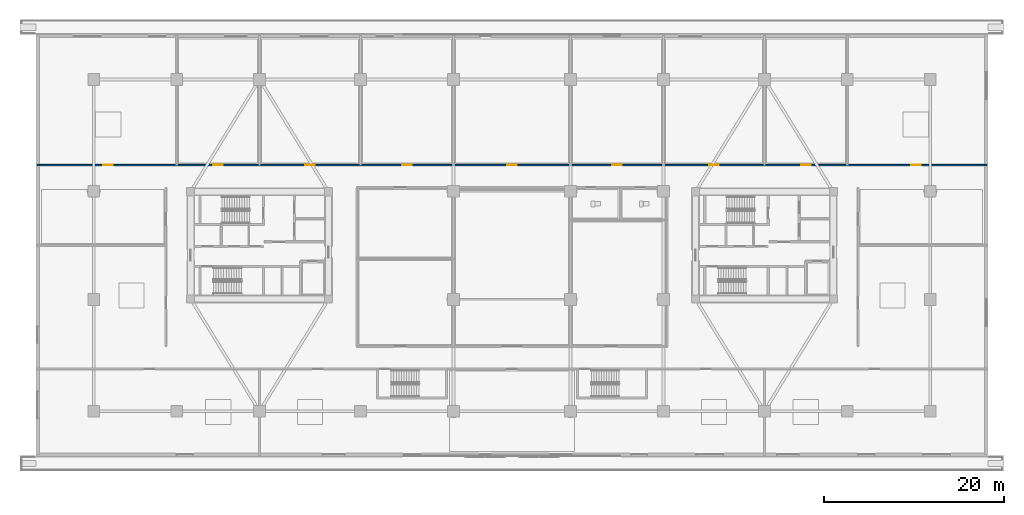
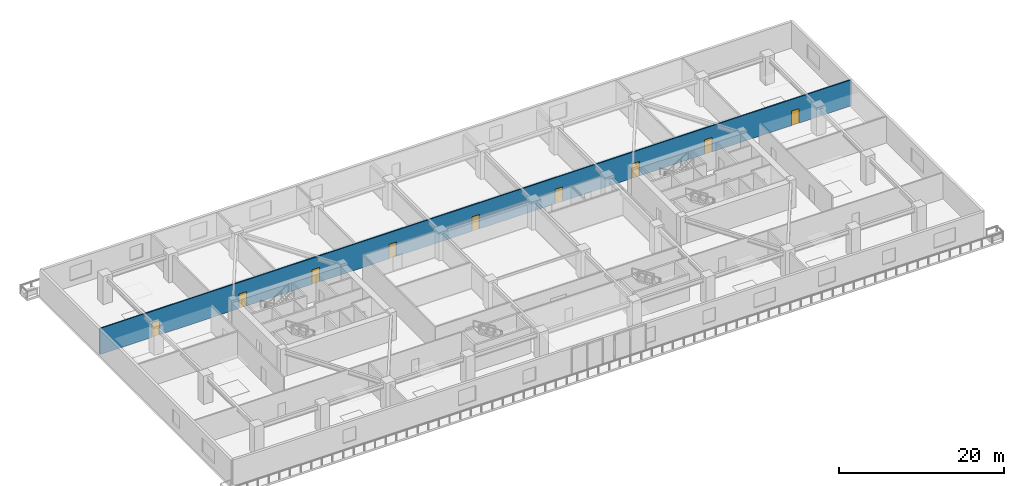
# One storey, part 8 of 22: 9 doors, 1 wall, 9 openings.
"""IFC4 building model written with IfcOpenShell, lengths in metres."""

from ifc_helpers import new_model, si_unit, direction, frame, frame_2d, origin, place, context, subcontext, project, spatial, rectangle, extrude, source, transform, mapped, material, layer, layer_set, type_object, type_shapes, element, fill, save


model = new_model("IFC4")

# Units and contexts
model_context = context("Model", 3, precision=1e-05, world=origin(), true_north=direction((0.0, 1.0)))
body_context = subcontext(model_context, "Body", "Model", "MODEL_VIEW")
ifc_project = project(units=[si_unit("LENGTHUNIT", "METRE"), si_unit("AREAUNIT", "SQUARE_METRE"), si_unit("VOLUMEUNIT", "CUBIC_METRE"), si_unit("PLANEANGLEUNIT", "RADIAN"), si_unit("MASSUNIT", "GRAM", prefix="KILO")], contexts=[model_context])

# Site, building, storey
site_placement = place(None, origin())
site = spatial("IfcSite", under=ifc_project, at=site_placement, CompositionType="ELEMENT")
building_placement = place(site_placement, origin())
building = spatial("IfcBuilding", under=site, at=building_placement, Name="Norrkilde Senior Care Towers", CompositionType="ELEMENT")
storey_placement = place(building_placement, frame((0.0, 0.0, 4.199951171875)))
storey = spatial("IfcBuildingStorey", under=building, at=storey_placement, Name="L01", CompositionType="ELEMENT", Elevation=4.199951171875)

# Wall, openings, doors
ifc_material_1 = material(Name="Gypsum Acoustic Board")
ifc_layer = layer(ifc_material_1, 0.1650390625)
ifc_layer_set = layer_set([ifc_layer], Name="Gypsum Acoustic Board")
wall_type = type_object("IfcWallType", Name="Corridor Rated Partition 165", PredefinedType="PARTITIONING", material=ifc_layer_set)
shared_shape_1 = source(origin(), body_context, "Body", "SweptSolid", [
    extrude(rectangle(XDim=105.2998046875, YDim=0.1650390625, at=frame_2d((52.64990234375, 0.0))), origin(), (0.0, 0.0, 1.0), 3.864990234375),
])
type_shapes(wall_type, [shared_shape_1])
wall_placement = place(storey_placement, frame((-52.64990234375, 8.89990234375, 0.0), z_axis=(0.0, 0.0, 1.0), x_axis=(1.0, 0.0, 0.0)))
wall = element("IfcWall", 1, at=wall_placement, inside=storey, type_object=wall_type, Name="WL-INT-L01-POD-NPS", PredefinedType="PARTITIONING", context=body_context, shape_type="MappedRepresentation", body=[
    mapped(shared_shape_1, transform((0.0, 0.0, 0.0), x_axis=(1.0, 0.0, 0.0), y_axis=(0.0, 1.0, 0.0), z_axis=(0.0, 0.0, 1.0), scale=1.0)),
])
opening_1_placement = place(wall_placement, frame((7.324951171875, 0.0, 0.0)))
opening_1 = element("IfcOpeningElement", 2, at=opening_1_placement, cuts=wall, Name="Opening D-06", PredefinedType="OPENING", context=body_context, shape_type="SweptSolid", body=[
    extrude(rectangle(XDim=1.050048828125, YDim=2.14990234375, at=frame_2d((0.52490234375, 1.074951171875))), frame((0.0, 0.092529296875, 0.0), z_axis=(0.0, -1.0, 0.0), x_axis=(1.0, 0.0, 0.0)), (0.0, 0.0, 1.0), 0.18505859375),
])
opening_2_placement = place(wall_placement, frame((19.52490234375, 0.0, 0.0)))
opening_2 = element("IfcOpeningElement", 3, at=opening_2_placement, cuts=wall, Name="Opening D-06", PredefinedType="OPENING", context=body_context, shape_type="SweptSolid", body=[
    extrude(rectangle(XDim=1.050048828125, YDim=2.14990234375, at=frame_2d((0.52490234375, 1.074951171875))), frame((0.0, 0.092529296875, 0.0), z_axis=(0.0, -1.0, 0.0), x_axis=(1.0, 0.0, 0.0)), (0.0, 0.0, 1.0), 0.18505859375),
])
opening_3_placement = place(wall_placement, frame((29.72509765625, 0.0, 0.0)))
opening_3 = element("IfcOpeningElement", 4, at=opening_3_placement, cuts=wall, Name="Opening D-06", PredefinedType="OPENING", context=body_context, shape_type="SweptSolid", body=[
    extrude(rectangle(XDim=1.050048828125, YDim=2.14990234375, at=frame_2d((0.52490234375, 1.074951171875))), frame((0.0, 0.092529296875, 0.0), z_axis=(0.0, -1.0, 0.0), x_axis=(1.0, 0.0, 0.0)), (0.0, 0.0, 1.0), 0.18505859375),
])
opening_4_placement = place(wall_placement, frame((40.47509765625, 0.0, 0.0)))
opening_4 = element("IfcOpeningElement", 5, at=opening_4_placement, cuts=wall, Name="Opening D-06", PredefinedType="OPENING", context=body_context, shape_type="SweptSolid", body=[
    extrude(rectangle(XDim=1.050048828125, YDim=2.14990234375, at=frame_2d((0.52490234375, 1.074951171875))), frame((0.0, 0.092529296875, 0.0), z_axis=(0.0, -1.0, 0.0), x_axis=(1.0, 0.0, 0.0)), (0.0, 0.0, 1.0), 0.18505859375),
])
opening_5_placement = place(wall_placement, frame((52.125, 0.0, 0.0)))
opening_5 = element("IfcOpeningElement", 6, at=opening_5_placement, cuts=wall, Name="Opening D-06", PredefinedType="OPENING", context=body_context, shape_type="SweptSolid", body=[
    extrude(rectangle(XDim=1.050048828125, YDim=2.14990234375, at=frame_2d((0.52490234375, 1.074951171875))), frame((0.0, 0.092529296875, 0.0), z_axis=(0.0, -1.0, 0.0), x_axis=(1.0, 0.0, 0.0)), (0.0, 0.0, 1.0), 0.18505859375),
])
opening_6_placement = place(wall_placement, frame((63.77490234375, 0.0, 0.0)))
opening_6 = element("IfcOpeningElement", 7, at=opening_6_placement, cuts=wall, Name="Opening D-06", PredefinedType="OPENING", context=body_context, shape_type="SweptSolid", body=[
    extrude(rectangle(XDim=1.050048828125, YDim=2.14990234375, at=frame_2d((0.52490234375, 1.074951171875))), frame((0.0, 0.092529296875, 0.0), z_axis=(0.0, -1.0, 0.0), x_axis=(1.0, 0.0, 0.0)), (0.0, 0.0, 1.0), 0.18505859375),
])
opening_7_placement = place(wall_placement, frame((74.52490234375, 0.0, 0.0)))
opening_7 = element("IfcOpeningElement", 8, at=opening_7_placement, cuts=wall, Name="Opening D-06", PredefinedType="OPENING", context=body_context, shape_type="SweptSolid", body=[
    extrude(rectangle(XDim=1.050048828125, YDim=2.14990234375, at=frame_2d((0.52490234375, 1.074951171875))), frame((0.0, 0.092529296875, 0.0), z_axis=(0.0, -1.0, 0.0), x_axis=(1.0, 0.0, 0.0)), (0.0, 0.0, 1.0), 0.18505859375),
])
opening_8_placement = place(wall_placement, frame((84.72509765625, 0.0, 0.0)))
opening_8 = element("IfcOpeningElement", 9, at=opening_8_placement, cuts=wall, Name="Opening D-06", PredefinedType="OPENING", context=body_context, shape_type="SweptSolid", body=[
    extrude(rectangle(XDim=1.050048828125, YDim=2.14990234375, at=frame_2d((0.52490234375, 1.074951171875))), frame((0.0, 0.092529296875, 0.0), z_axis=(0.0, -1.0, 0.0), x_axis=(1.0, 0.0, 0.0)), (0.0, 0.0, 1.0), 0.18505859375),
])
opening_9_placement = place(wall_placement, frame((96.925048828125, 0.0, 0.0)))
opening_9 = element("IfcOpeningElement", 10, at=opening_9_placement, cuts=wall, Name="Opening D-06", PredefinedType="OPENING", context=body_context, shape_type="SweptSolid", body=[
    extrude(rectangle(XDim=1.050048828125, YDim=2.14990234375, at=frame_2d((0.52490234375, 1.074951171875))), frame((0.0, 0.092529296875, 0.0), z_axis=(0.0, -1.0, 0.0), x_axis=(1.0, 0.0, 0.0)), (0.0, 0.0, 1.0), 0.18505859375),
])
ifc_material_2 = material(Name="Nordic Ash Timber", Category="wood")
door_type = type_object("IfcDoorType", Name="Apartment Entrance Fire Door 1050x2150", OperationType="NOTDEFINED", PredefinedType="DOOR", material=ifc_material_2)
shared_shape_2 = source(origin(), body_context, "Body", "SweptSolid", [
    extrude(rectangle(XDim=1.050048828125, YDim=2.14990234375, at=frame_2d((0.52490234375, 1.074951171875))), frame((0.0, 0.02490234375, 0.0), z_axis=(0.0, -1.0, 0.0), x_axis=(1.0, 0.0, 0.0)), (0.0, 0.0, 1.0), 0.050048828125),
])
type_shapes(door_type, [shared_shape_2])
door_1_placement = place(opening_1_placement, origin())
door_1 = element("IfcDoor", 11, at=door_1_placement, inside=storey, type_object=door_type, Name="L01 North Suite 1 Door", OperationType="SINGLE_SWING_LEFT", OverallHeight=2.14990234375, OverallWidth=1.050048828125, PredefinedType="DOOR", context=body_context, shape_type="MappedRepresentation", body=[
    mapped(shared_shape_2, transform((0.0, 0.0, 0.0), x_axis=(1.0, 0.0, 0.0), y_axis=(0.0, 1.0, 0.0), z_axis=(0.0, 0.0, 1.0), scale=1.0)),
])
fill(opening_1, door_1)
door_2_placement = place(opening_2_placement, origin())
door_2 = element("IfcDoor", 12, at=door_2_placement, inside=storey, type_object=door_type, Name="L01 North Suite 2 Door", OperationType="SINGLE_SWING_RIGHT", OverallHeight=2.14990234375, OverallWidth=1.050048828125, PredefinedType="DOOR", context=body_context, shape_type="MappedRepresentation", body=[
    mapped(shared_shape_2, transform((0.0, 0.0, 0.0), x_axis=(1.0, 0.0, 0.0), y_axis=(0.0, 1.0, 0.0), z_axis=(0.0, 0.0, 1.0), scale=1.0)),
])
fill(opening_2, door_2)
door_3_placement = place(opening_3_placement, origin())
door_3 = element("IfcDoor", 13, at=door_3_placement, inside=storey, type_object=door_type, Name="L01 North Suite 3 Door", OperationType="SINGLE_SWING_LEFT", OverallHeight=2.14990234375, OverallWidth=1.050048828125, PredefinedType="DOOR", context=body_context, shape_type="MappedRepresentation", body=[
    mapped(shared_shape_2, transform((0.0, 0.0, 0.0), x_axis=(1.0, 0.0, 0.0), y_axis=(0.0, 1.0, 0.0), z_axis=(0.0, 0.0, 1.0), scale=1.0)),
])
fill(opening_3, door_3)
door_4_placement = place(opening_4_placement, origin())
door_4 = element("IfcDoor", 14, at=door_4_placement, inside=storey, type_object=door_type, Name="L01 North Suite 4 Door", OperationType="SINGLE_SWING_RIGHT", OverallHeight=2.14990234375, OverallWidth=1.050048828125, PredefinedType="DOOR", context=body_context, shape_type="MappedRepresentation", body=[
    mapped(shared_shape_2, transform((0.0, 0.0, 0.0), x_axis=(1.0, 0.0, 0.0), y_axis=(0.0, 1.0, 0.0), z_axis=(0.0, 0.0, 1.0), scale=1.0)),
])
fill(opening_4, door_4)
door_5_placement = place(opening_5_placement, origin())
door_5 = element("IfcDoor", 15, at=door_5_placement, inside=storey, type_object=door_type, Name="L01 North Suite 5 Door", OperationType="SINGLE_SWING_LEFT", OverallHeight=2.14990234375, OverallWidth=1.050048828125, PredefinedType="DOOR", context=body_context, shape_type="MappedRepresentation", body=[
    mapped(shared_shape_2, transform((0.0, 0.0, 0.0), x_axis=(1.0, 0.0, 0.0), y_axis=(0.0, 1.0, 0.0), z_axis=(0.0, 0.0, 1.0), scale=1.0)),
])
fill(opening_5, door_5)
door_6_placement = place(opening_6_placement, origin())
door_6 = element("IfcDoor", 16, at=door_6_placement, inside=storey, type_object=door_type, Name="L01 North Suite 6 Door", OperationType="SINGLE_SWING_RIGHT", OverallHeight=2.14990234375, OverallWidth=1.050048828125, PredefinedType="DOOR", context=body_context, shape_type="MappedRepresentation", body=[
    mapped(shared_shape_2, transform((0.0, 0.0, 0.0), x_axis=(1.0, 0.0, 0.0), y_axis=(0.0, 1.0, 0.0), z_axis=(0.0, 0.0, 1.0), scale=1.0)),
])
fill(opening_6, door_6)
door_7_placement = place(opening_7_placement, origin())
door_7 = element("IfcDoor", 17, at=door_7_placement, inside=storey, type_object=door_type, Name="L01 North Suite 7 Door", OperationType="SINGLE_SWING_LEFT", OverallHeight=2.14990234375, OverallWidth=1.050048828125, PredefinedType="DOOR", context=body_context, shape_type="MappedRepresentation", body=[
    mapped(shared_shape_2, transform((0.0, 0.0, 0.0), x_axis=(1.0, 0.0, 0.0), y_axis=(0.0, 1.0, 0.0), z_axis=(0.0, 0.0, 1.0), scale=1.0)),
])
fill(opening_7, door_7)
door_8_placement = place(opening_8_placement, origin())
door_8 = element("IfcDoor", 18, at=door_8_placement, inside=storey, type_object=door_type, Name="L01 North Suite 8 Door", OperationType="SINGLE_SWING_RIGHT", OverallHeight=2.14990234375, OverallWidth=1.050048828125, PredefinedType="DOOR", context=body_context, shape_type="MappedRepresentation", body=[
    mapped(shared_shape_2, transform((0.0, 0.0, 0.0), x_axis=(1.0, 0.0, 0.0), y_axis=(0.0, 1.0, 0.0), z_axis=(0.0, 0.0, 1.0), scale=1.0)),
])
fill(opening_8, door_8)
door_9_placement = place(opening_9_placement, origin())
door_9 = element("IfcDoor", 19, at=door_9_placement, inside=storey, type_object=door_type, Name="L01 North Suite 9 Door", OperationType="SINGLE_SWING_LEFT", OverallHeight=2.14990234375, OverallWidth=1.050048828125, PredefinedType="DOOR", context=body_context, shape_type="MappedRepresentation", body=[
    mapped(shared_shape_2, transform((0.0, 0.0, 0.0), x_axis=(1.0, 0.0, 0.0), y_axis=(0.0, 1.0, 0.0), z_axis=(0.0, 0.0, 1.0), scale=1.0)),
])
fill(opening_9, door_9)

save(model, "model.ifc")
